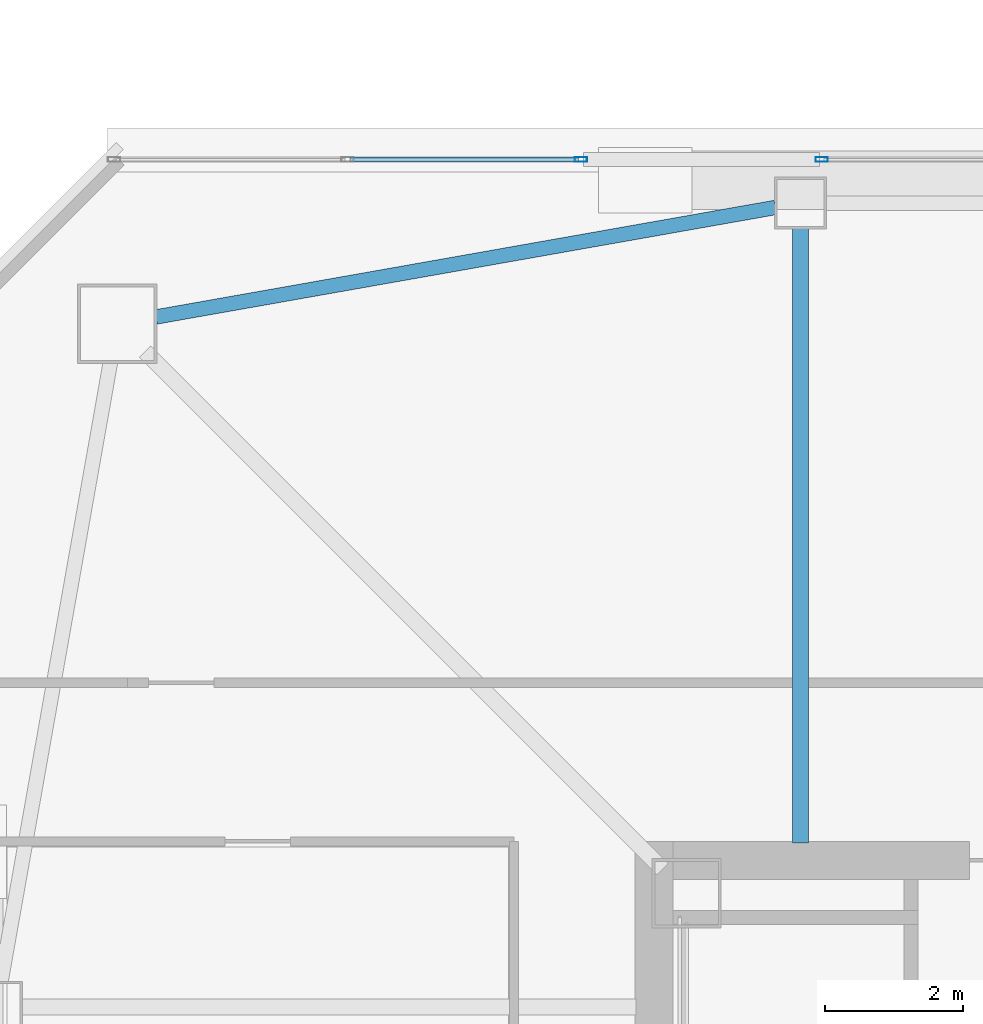
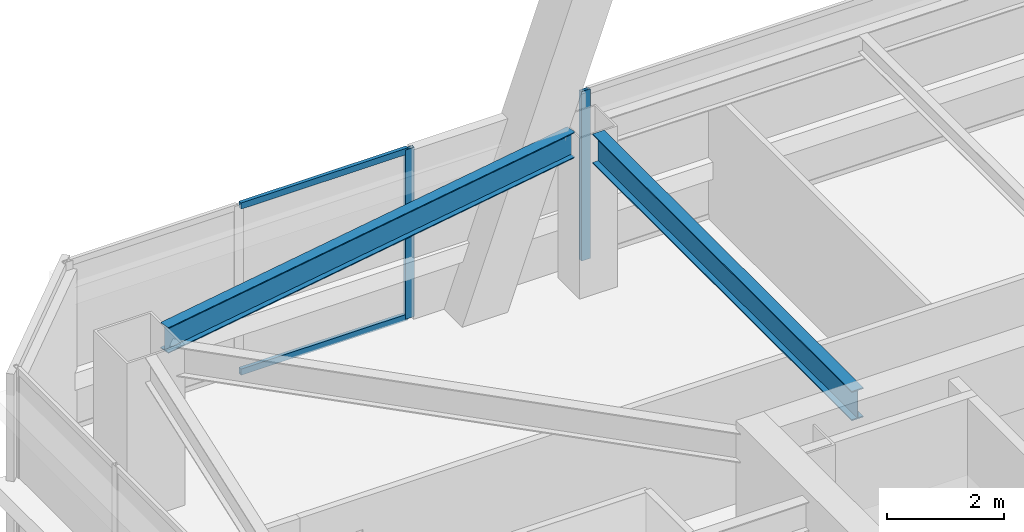
# One storey, part 17 of 55: 4 members, 2 beams, 2 elements without a shape of their own.
"""IFC4 building model written with IfcOpenShell, lengths in metres."""

from ifc_helpers import new_model, si_unit, direction, frame, origin, origin_2d, place, context, subcontext, project, spatial, hollow_rectangle, i_section, extrude, material, material_profile, profile_set, type_object, element, aggregate, save


model = new_model("IFC4")

# Units and contexts
model_context = context("Model", 3, precision=1e-05, world=origin(), true_north=direction((0.0, 1.0)))
body_context = subcontext(model_context, "Body", "Model", "MODEL_VIEW")
ifc_project = project(units=[si_unit("LENGTHUNIT", "METRE"), si_unit("AREAUNIT", "SQUARE_METRE"), si_unit("VOLUMEUNIT", "CUBIC_METRE"), si_unit("PLANEANGLEUNIT", "RADIAN"), si_unit("MASSUNIT", "GRAM", prefix="KILO")], contexts=[model_context])

# Site, building, storey
site_placement = place(None, origin())
site = spatial("IfcSite", under=ifc_project, at=site_placement, CompositionType="ELEMENT")
building_placement = place(site_placement, origin())
building = spatial("IfcBuilding", under=site, at=building_placement, Name="Tashvorn Skyway Center", CompositionType="ELEMENT")
storey_placement = place(building_placement, frame((0.0, 0.0, 178.300048828125)))
storey = spatial("IfcBuildingStorey", under=building, at=storey_placement, Name="L48", CompositionType="ELEMENT", Elevation=178.300048828125)

# Beams
ifc_material_1 = material(Name="Steel ASTM A992 Grade 50", Category="steel")
ifc_material_profile_1 = material_profile(ifc_material_1, i_section(OverallWidth=0.22998046875, OverallDepth=0.616943359375, WebThickness=0.01318359375, FlangeThickness=0.022216796875, at=origin_2d()), Name="W24X94")
ifc_profile_set_1 = profile_set([ifc_material_profile_1], Name="Steel ASTM A992 Grade 50")
beam_type_1 = type_object("IfcBeamType", Name="BM-BEAM-W24X94", PredefinedType="BEAM", material=ifc_profile_set_1)
beam_1_placement = place(storey_placement, frame((36.60009765625, 48.679931640625, 3.0615234375), z_axis=(0.0, -1.0, 0.0), x_axis=(1.0, 0.0, 0.0)))
element("IfcBeam", 1, at=beam_1_placement, inside=storey, type_object=beam_type_1, Name="Tower 1 L48 Primary Floor Girder FC-N2", PredefinedType="BEAM", context=body_context, shape_type="SweptSolid", body=[
    extrude(i_section(OverallWidth=0.22998046875, OverallDepth=0.616943359375, WebThickness=0.01318359375, FlangeThickness=0.022216796875, at=origin_2d()), origin(), (0.0, 0.0, 1.0), 8.89990234375),
])
ifc_material_profile_2 = material_profile(ifc_material_1, i_section(OverallWidth=0.2109375, OverallDepth=0.5390625, WebThickness=0.01171875, FlangeThickness=0.018798828125, at=origin_2d()), Name="W21X73")
ifc_profile_set_2 = profile_set([ifc_material_profile_2], Name="Steel ASTM A992 Grade 50")
beam_type_2 = type_object("IfcBeamType", Name="BM-SPANDREL-W21X73", PredefinedType="SPANDREL", material=ifc_profile_set_2)
beam_2_placement = place(storey_placement, frame((36.235595703125, 48.985595703125, 3.100341796875), z_axis=(-0.984732545667, -0.174074160933, 0.0), x_axis=(0.174074160933, -0.984732545667, 0.0)))
element("IfcBeam", 2, at=beam_2_placement, inside=storey, type_object=beam_type_2, Name="Tower 1 L48 Spandrel Beam 09", PredefinedType="SPANDREL", context=body_context, shape_type="SweptSolid", body=[
    extrude(i_section(OverallWidth=0.2109375, OverallDepth=0.5390625, WebThickness=0.01171875, FlangeThickness=0.018798828125, at=origin_2d()), origin(), (0.0, 0.0, 1.0), 9.113525390625),
])

# Curtain wall, member
ifc_material_2 = material(Name="Thermally broken bronze-anodized aluminium 6063-T6", Category="aluminium")
curtain_wall_type = type_object("IfcCurtainWallType", Name="CW-CW-Z4", PredefinedType="NOTDEFINED", material=ifc_material_2)
curtain_wall_1_placement = place(storey_placement, origin())
curtain_wall_1 = element("IfcCurtainWall", 3, at=curtain_wall_1_placement, inside=storey, type_object=curtain_wall_type, Name="Tower 1 L48 North Unitised Curtain Wall Glazing Group 1", PredefinedType="NOTDEFINED")
ifc_material_profile_3 = material_profile(ifc_material_2, hollow_rectangle(XDim=0.070068359375, YDim=0.179931640625, WallThickness=0.00390625, at=origin_2d()), Name="ALU-MULL-70x180")
ifc_profile_set_3 = profile_set([ifc_material_profile_3], Name="Thermally broken bronze-anodized aluminium 6063-T6")
member_type_1 = type_object("IfcMemberType", Name="CWM-CW-Z4", PredefinedType="MULLION", material=ifc_profile_set_3)
member_1_placement = place(storey_placement, frame((33.420654296875, 49.679931640625, 0.0), z_axis=(0.0, 0.0, 1.0), x_axis=(0.0, 1.0, 0.0)))
member_1 = element("IfcMember", 4, at=member_1_placement, type_object=member_type_1, Name="CW-Z4 mullion 3", PredefinedType="MULLION", context=body_context, shape_type="SweptSolid", body=[
    extrude(hollow_rectangle(XDim=0.070068359375, YDim=0.179931640625, WallThickness=0.00390625, at=origin_2d()), origin(), (0.0, 0.0, 1.0), 3.550048828125),
])

curtain_wall_2_placement = place(storey_placement, origin())
curtain_wall_2 = element("IfcCurtainWall", 5, at=curtain_wall_2_placement, inside=storey, type_object=curtain_wall_type, Name="Tower 1 L48 North Unitised Curtain Wall Glazing Group 2", PredefinedType="NOTDEFINED")
member_2_placement = place(storey_placement, frame((36.908203125, 49.679931640625, 0.0), z_axis=(0.0, 0.0, 1.0), x_axis=(0.0, 1.0, 0.0)))
member_2 = element("IfcMember", 6, at=member_2_placement, type_object=member_type_1, Name="CW-Z4 mullion 1", PredefinedType="MULLION", context=body_context, shape_type="SweptSolid", body=[
    extrude(hollow_rectangle(XDim=0.070068359375, YDim=0.179931640625, WallThickness=0.00390625, at=origin_2d()), origin(), (0.0, 0.0, 1.0), 3.550048828125),
])
aggregate(curtain_wall_2, [member_2])

# Member
ifc_material_profile_4 = material_profile(ifc_material_2, hollow_rectangle(XDim=0.070068359375, YDim=0.1298828125, WallThickness=0.00390625, at=origin_2d()), Name="ALU-TRAN-70x130")
ifc_profile_set_4 = profile_set([ifc_material_profile_4], Name="Thermally broken bronze-anodized aluminium 6063-T6")
member_type_2 = type_object("IfcMemberType", Name="CWT-CW-Z4", PredefinedType="USERDEFINED", material=ifc_profile_set_4)
member_3_placement = place(storey_placement, frame((30.07275390625, 49.679931640625, 0.034912109375), z_axis=(1.0, 0.0, 0.0), x_axis=(0.0, 1.0, 0.0)))
member_3 = element("IfcMember", 7, at=member_3_placement, type_object=member_type_2, Name="CW-Z4 transom 2.1", ObjectType="TRANSOM", PredefinedType="USERDEFINED", context=body_context, shape_type="SweptSolid", body=[
    extrude(hollow_rectangle(XDim=0.070068359375, YDim=0.1298828125, WallThickness=0.00390625, at=origin_2d()), origin(), (0.0, 0.0, 1.0), 3.312744140625),
])

member_4_placement = place(storey_placement, frame((30.07275390625, 49.679931640625, 3.514892578125), z_axis=(1.0, 0.0, 0.0), x_axis=(0.0, 1.0, 0.0)))
member_4 = element("IfcMember", 8, at=member_4_placement, type_object=member_type_2, Name="CW-Z4 transom 2.2", ObjectType="TRANSOM", PredefinedType="USERDEFINED", context=body_context, shape_type="SweptSolid", body=[
    extrude(hollow_rectangle(XDim=0.070068359375, YDim=0.1298828125, WallThickness=0.00390625, at=origin_2d()), origin(), (0.0, 0.0, 1.0), 3.312744140625),
])

aggregate(curtain_wall_1, [member_1, member_3, member_4])

save(model, "model.ifc")
